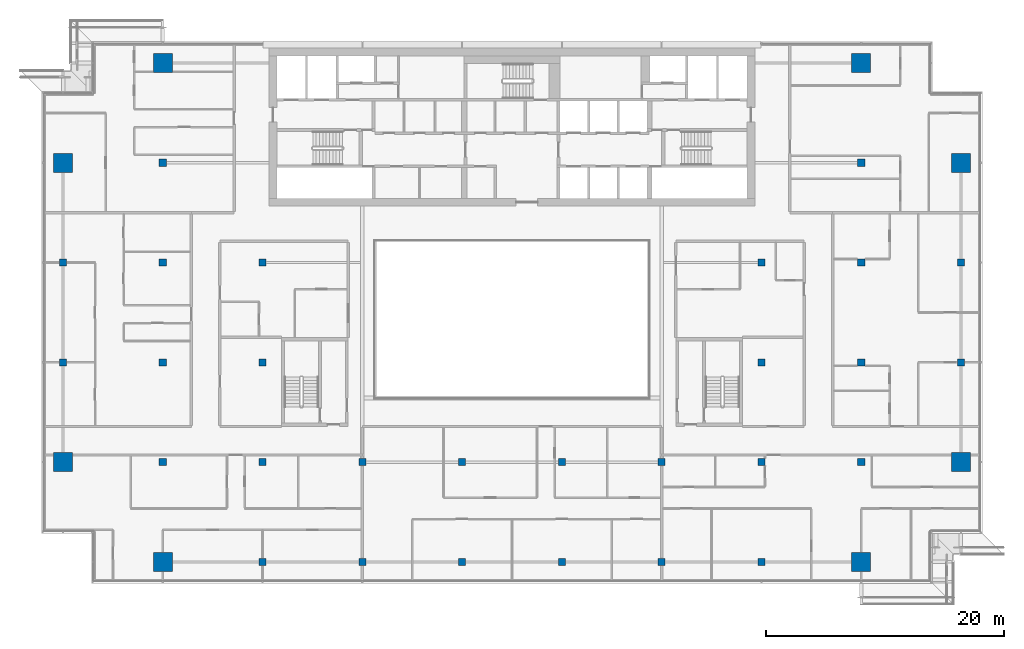
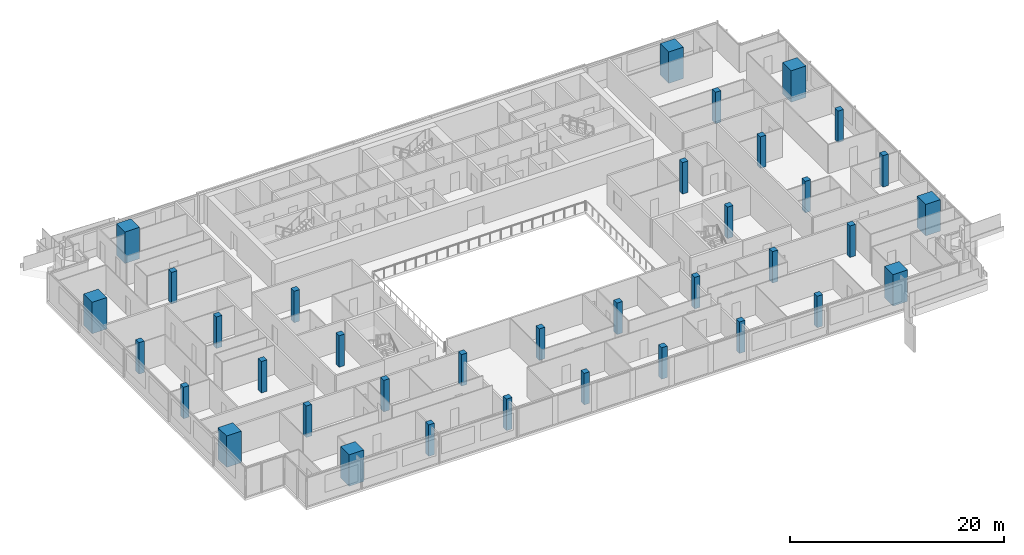
# One storey, part 1 of 30: 36 columns.
"""IFC4 building model written with IfcOpenShell, lengths in metres."""

from ifc_helpers import new_model, si_unit, direction, frame, origin, origin_2d, place, context, subcontext, project, spatial, rectangle, extrude, material, material_profile, profile_set, type_object, element, save


model = new_model("IFC4")

# Units and contexts
model_context = context("Model", 3, precision=1e-05, world=origin(), true_north=direction((0.0, 1.0)))
body_context = subcontext(model_context, "Body", "Model", "MODEL_VIEW")
ifc_project = project(units=[si_unit("LENGTHUNIT", "METRE"), si_unit("AREAUNIT", "SQUARE_METRE"), si_unit("VOLUMEUNIT", "CUBIC_METRE"), si_unit("PLANEANGLEUNIT", "RADIAN"), si_unit("MASSUNIT", "GRAM", prefix="KILO")], contexts=[model_context])

# Site, building, storey
site_placement = place(None, origin())
site = spatial("IfcSite", under=ifc_project, at=site_placement, CompositionType="ELEMENT")
building_placement = place(site_placement, origin())
building = spatial("IfcBuilding", under=site, at=building_placement, Name="Saffron Gate Tower", CompositionType="ELEMENT")
storey_placement = place(building_placement, frame((0.0, 0.0, 237.89990234375)))
storey = spatial("IfcBuildingStorey", under=building, at=storey_placement, Name="L58", CompositionType="ELEMENT", Elevation=237.89990234375)

# Columns
ifc_material_1 = material(Name="Concrete C50", Category="concrete")
ifc_material_profile_1 = material_profile(ifc_material_1, rectangle(XDim=0.60009765625, YDim=0.60009765625, at=origin_2d()))
ifc_profile_set_1 = profile_set([ifc_material_profile_1], Name="Concrete C50")
column_type_1 = type_object("IfcColumnType", Name="C2 RC 600x600 CONCRETE C50", PredefinedType="COLUMN", material=ifc_profile_set_1)
for number, where, z_axis, x_axis, name in (
    (1, (49.800048828125, 48.60009765625, 0.0), (0.0, 0.0, 1.0), (1.0, 0.0, 0.0), "C2 COLUMN X1-C"),
    (2, (49.800048828125, 57.0, 0.0), (0.0, 0.0, 1.0), (1.0, 0.0, 0.0), "C2 COLUMN X1-D"),
    (3, (58.199951171875, 40.199951171875, 0.0), (0.0, 0.0, 1.0), (1.0, 0.0, 0.0), "C2 COLUMN X2-B"),
    (4, (58.199951171875, 48.60009765625, 0.0), (0.0, 0.0, 1.0), (1.0, 0.0, 0.0), "C2 COLUMN X2-C"),
    (5, (58.199951171875, 57.0, 0.0), (0.0, 0.0, 1.0), (1.0, 0.0, 0.0), "C2 COLUMN X2-D"),
    (6, (58.199951171875, 65.39990234375, 0.0), (0.0, 0.0, 1.0), (1.0, 0.0, 0.0), "C2 COLUMN X2-E"),
    (7, (66.60009765625, 31.800048828125, 0.0), (0.0, 0.0, 1.0), (1.0, 0.0, 0.0), "C2 COLUMN X3-A"),
    (8, (66.60009765625, 40.199951171875, 0.0), (0.0, 0.0, 1.0), (1.0, 0.0, 0.0), "C2 COLUMN X3-B"),
    (9, (66.60009765625, 48.60009765625, 0.0), (0.0, 0.0, 1.0), (1.0, 0.0, 0.0), "C2 COLUMN X3-C"),
    (10, (66.60009765625, 57.0, 0.0), (0.0, 0.0, 1.0), (1.0, 0.0, 0.0), "C2 COLUMN X3-D"),
    (11, (75.0, 31.800048828125, 0.0), (0.0, 0.0, 1.0), (1.0, 0.0, 0.0), "C2 COLUMN X4-A"),
    (12, (75.0, 40.199951171875, 0.0), (0.0, 0.0, 1.0), (1.0, 0.0, 0.0), "C2 COLUMN X4-B"),
    (13, (83.39990234375, 31.800048828125, 0.0), (0.0, 0.0, 1.0), (1.0, 0.0, 0.0), "C2 COLUMN X5-A"),
    (14, (83.39990234375, 40.199951171875, 0.0), (0.0, 0.0, 1.0), (1.0, 0.0, 0.0), "C2 COLUMN X5-B"),
    (15, (91.800048828125, 31.800048828125, 0.0), (0.0, 0.0, 1.0), (1.0, 0.0, 0.0), "C2 COLUMN X6-A"),
    (16, (91.800048828125, 40.199951171875, 0.0), (0.0, 0.0, 1.0), (1.0, 0.0, 0.0), "C2 COLUMN X6-B"),
    (17, (100.199951171875, 31.800048828125, 0.0), (0.0, 0.0, 1.0), (1.0, 0.0, 0.0), "C2 COLUMN X7-A"),
    (18, (100.199951171875, 40.199951171875, 0.0), (0.0, 0.0, 1.0), (1.0, 0.0, 0.0), "C2 COLUMN X7-B"),
    (19, (108.60009765625, 31.800048828125, 0.0), (0.0, 0.0, 1.0), (1.0, 0.0, 0.0), "C2 COLUMN X8-A"),
    (20, (108.60009765625, 40.199951171875, 0.0), (0.0, 0.0, 1.0), (1.0, 0.0, 0.0), "C2 COLUMN X8-B"),
    (21, (108.60009765625, 48.60009765625, 0.0), (0.0, 0.0, 1.0), (1.0, 0.0, 0.0), "C2 COLUMN X8-C"),
    (22, (108.60009765625, 57.0, 0.0), (0.0, 0.0, 1.0), (1.0, 0.0, 0.0), "C2 COLUMN X8-D"),
    (23, (117.0, 40.199951171875, 0.0), (0.0, 0.0, 1.0), (1.0, 0.0, 0.0), "C2 COLUMN X9-B"),
    (24, (117.0, 48.60009765625, 0.0), (0.0, 0.0, 1.0), (1.0, 0.0, 0.0), "C2 COLUMN X9-C"),
    (25, (117.0, 57.0, 0.0), (0.0, 0.0, 1.0), (1.0, 0.0, 0.0), "C2 COLUMN X9-D"),
    (26, (117.0, 65.39990234375, 0.0), (0.0, 0.0, 1.0), (1.0, 0.0, 0.0), "C2 COLUMN X9-E"),
    (27, (125.39990234375, 48.60009765625, 0.0), (0.0, 0.0, 1.0), (1.0, 0.0, 0.0), "C2 COLUMN X10-C"),
    (28, (125.39990234375, 57.0, 0.0), (0.0, 0.0, 1.0), (1.0, 0.0, 0.0), "C2 COLUMN X10-D"),
):
    element("IfcColumn", number, at=place(storey_placement, frame(where, z_axis=z_axis, x_axis=x_axis)), inside=storey, type_object=column_type_1, Name=name, PredefinedType="COLUMN", context=body_context, shape_type="SweptSolid", body=[
        extrude(rectangle(XDim=0.60009765625, YDim=0.60009765625, at=origin_2d()), origin(), (0.0, 0.0, 1.0), 3.60009765625),
    ])
ifc_material_2 = material(Name="Concrete C70", Category="concrete")
ifc_material_profile_2 = material_profile(ifc_material_2, rectangle(XDim=1.60009765625, YDim=1.60009765625, at=origin_2d()))
ifc_profile_set_2 = profile_set([ifc_material_profile_2], Name="Concrete C70")
column_type_2 = type_object("IfcColumnType", Name="MC1 RC 1600x1600 CONCRETE C70", PredefinedType="COLUMN", material=ifc_profile_set_2)
for number, where, z_axis, x_axis, name in (
    (29, (49.800048828125, 40.199951171875, 0.0), (0.0, 0.0, 1.0), (1.0, 0.0, 0.0), "MC1 MEGA COLUMN X1-B"),
    (30, (49.800048828125, 65.39990234375, 0.0), (0.0, 0.0, 1.0), (1.0, 0.0, 0.0), "MC1 MEGA COLUMN X1-E"),
    (31, (58.199951171875, 31.800048828125, 0.0), (0.0, 0.0, 1.0), (1.0, 0.0, 0.0), "MC1 MEGA COLUMN X2-A"),
    (32, (58.199951171875, 73.800048828125, 0.0), (0.0, 0.0, 1.0), (1.0, 0.0, 0.0), "MC1 MEGA COLUMN X2-F"),
    (33, (117.0, 31.800048828125, 0.0), (0.0, 0.0, 1.0), (1.0, 0.0, 0.0), "MC1 MEGA COLUMN X9-A"),
    (34, (117.0, 73.800048828125, 0.0), (0.0, 0.0, 1.0), (1.0, 0.0, 0.0), "MC1 MEGA COLUMN X9-F"),
    (35, (125.39990234375, 40.199951171875, 0.0), (0.0, 0.0, 1.0), (1.0, 0.0, 0.0), "MC1 MEGA COLUMN X10-B"),
    (36, (125.39990234375, 65.39990234375, 0.0), (0.0, 0.0, 1.0), (1.0, 0.0, 0.0), "MC1 MEGA COLUMN X10-E"),
):
    element("IfcColumn", number, at=place(storey_placement, frame(where, z_axis=z_axis, x_axis=x_axis)), inside=storey, type_object=column_type_2, Name=name, PredefinedType="COLUMN", context=body_context, shape_type="SweptSolid", body=[
        extrude(rectangle(XDim=1.60009765625, YDim=1.60009765625, at=origin_2d()), origin(), (0.0, 0.0, 1.0), 3.60009765625),
    ])

save(model, "model.ifc")
